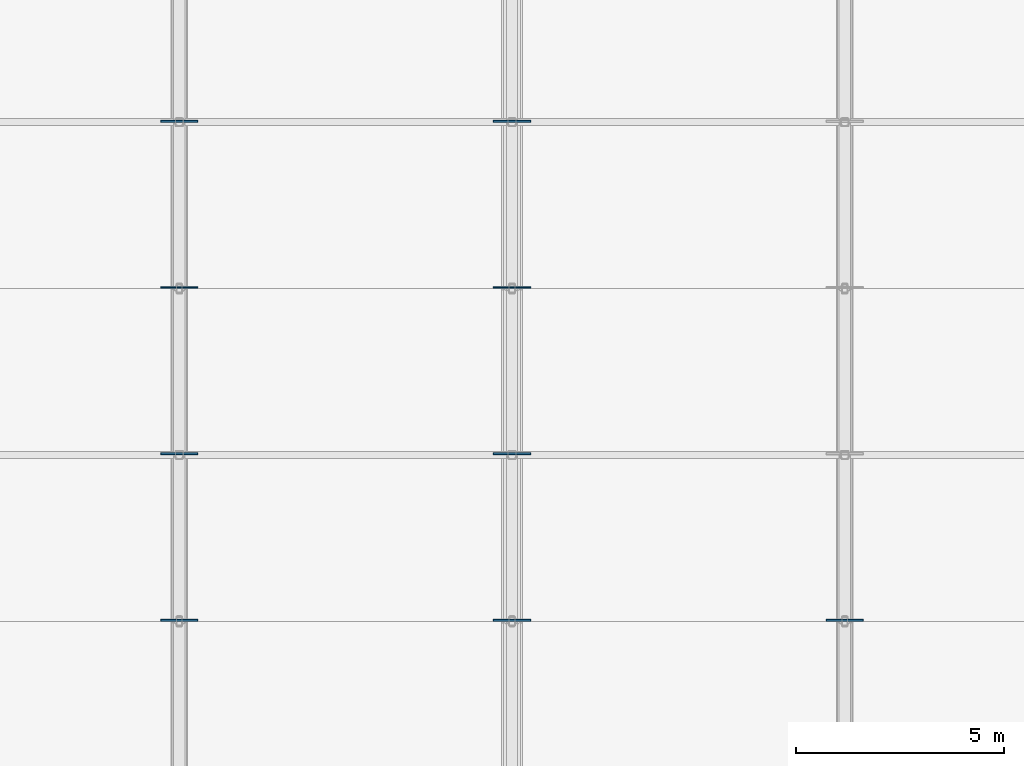
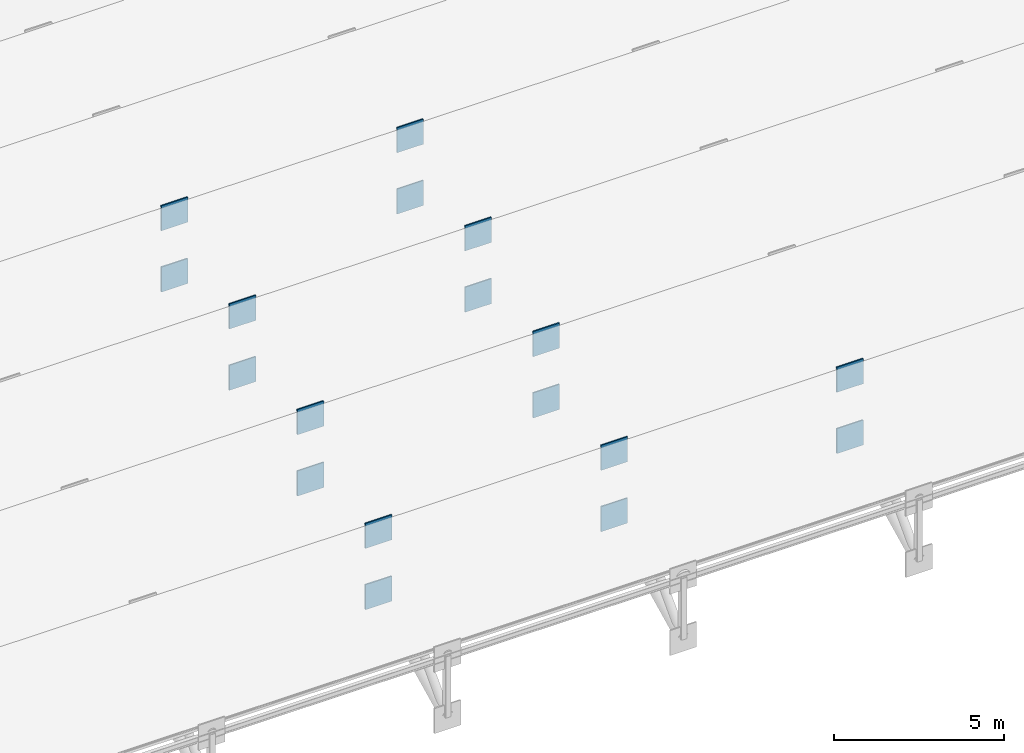
# One storey, part 63 of 98: 18 plates.
"""IFC4 building model written with IfcOpenShell, lengths in metres."""

from ifc_helpers import new_model, si_unit, direction, frame, origin, origin_2d, place, context, subcontext, project, spatial, rectangle, extrude, material, layer, layer_set, type_object, element, save


model = new_model("IFC4")

# Units and contexts
model_context = context("Model", 3, precision=1e-05, world=origin(), true_north=direction((0.0, 1.0)))
body_context = subcontext(model_context, "Body", "Model", "MODEL_VIEW")
ifc_project = project(units=[si_unit("LENGTHUNIT", "METRE"), si_unit("AREAUNIT", "SQUARE_METRE"), si_unit("VOLUMEUNIT", "CUBIC_METRE"), si_unit("PLANEANGLEUNIT", "RADIAN"), si_unit("MASSUNIT", "GRAM", prefix="KILO")], contexts=[model_context])

# Site, building, storey
site_placement = place(None, origin())
site = spatial("IfcSite", under=ifc_project, at=site_placement, CompositionType="ELEMENT")
building_placement = place(site_placement, origin())
building = spatial("IfcBuilding", under=site, at=building_placement, Name="Tlacozan Convention Centre", CompositionType="ELEMENT")
storey_placement = place(building_placement, frame((0.0, 0.0, 25.800048828125)))
storey = spatial("IfcBuildingStorey", under=building, at=storey_placement, Name="Roof", CompositionType="ELEMENT", Elevation=25.800048828125)

# Plates
ifc_material = material(Name="Steel ASTM A572 Grade 50", Category="steel")
ifc_layer = layer(ifc_material, 0.044921875)
ifc_layer_set = layer_set([ifc_layer], Name="Steel ASTM A572 Grade 50")
plate_type = type_object("IfcPlateType", Name="Arch Springing Node Gusset Plate", PredefinedType="SHEET", material=ifc_layer_set)
for number, where, z_axis, x_axis, name in (
    (1, (64.0, 66.023681640625, -9.070556640625), (0.0, 0.0, 1.0), (0.0, 1.0, 0.0), "Roof Gusset Cap Plate 274"),
    (2, (64.0, 66.023681640625, -11.2705078125), (0.0, 0.0, 1.0), (0.0, 1.0, 0.0), "Roof Gusset Cap Plate 276"),
    (3, (64.0, 70.0244140625, -7.416015625), (0.0, 0.0, 1.0), (0.0, 1.0, 0.0), "Roof Gusset Cap Plate 277"),
    (4, (64.0, 70.0244140625, -9.615966796875), (0.0, 0.0, 1.0), (0.0, 1.0, 0.0), "Roof Gusset Cap Plate 278"),
    (5, (64.0, 74.025146484375, -6.049072265625), (0.0, 0.0, 1.0), (0.0, 1.0, 0.0), "Roof Gusset Cap Plate 279"),
    (6, (64.0, 74.025146484375, -8.2490234375), (0.0, 0.0, 1.0), (0.0, 1.0, 0.0), "Roof Gusset Cap Plate 280"),
    (7, (64.0, 78.025634765625, -4.9521484375), (0.0, 0.0, 1.0), (0.0, 1.0, 0.0), "Roof Gusset Cap Plate 281"),
    (8, (64.0, 78.025634765625, -7.152099609375), (0.0, 0.0, 1.0), (0.0, 1.0, 0.0), "Roof Gusset Cap Plate 282"),
    (9, (72.0, 66.023681640625, -9.070556640625), (0.0, 0.0, 1.0), (0.0, 1.0, 0.0), "Roof Gusset Cap Plate 308"),
    (10, (72.0, 66.023681640625, -11.2705078125), (0.0, 0.0, 1.0), (0.0, 1.0, 0.0), "Roof Gusset Cap Plate 310"),
    (11, (72.0, 70.0244140625, -7.416015625), (0.0, 0.0, 1.0), (0.0, 1.0, 0.0), "Roof Gusset Cap Plate 311"),
    (12, (72.0, 70.0244140625, -9.615966796875), (0.0, 0.0, 1.0), (0.0, 1.0, 0.0), "Roof Gusset Cap Plate 312"),
    (13, (72.0, 74.025146484375, -6.049072265625), (0.0, 0.0, 1.0), (0.0, 1.0, 0.0), "Roof Gusset Cap Plate 313"),
    (14, (72.0, 74.025146484375, -8.2490234375), (0.0, 0.0, 1.0), (0.0, 1.0, 0.0), "Roof Gusset Cap Plate 314"),
    (15, (72.0, 78.025634765625, -4.9521484375), (0.0, 0.0, 1.0), (0.0, 1.0, 0.0), "Roof Gusset Cap Plate 315"),
    (16, (72.0, 78.025634765625, -7.152099609375), (0.0, 0.0, 1.0), (0.0, 1.0, 0.0), "Roof Gusset Cap Plate 316"),
    (17, (80.0, 66.023681640625, -9.070556640625), (0.0, 0.0, 1.0), (0.0, 1.0, 0.0), "Roof Gusset Cap Plate 342"),
    (18, (80.0, 66.023681640625, -11.2705078125), (0.0, 0.0, 1.0), (0.0, 1.0, 0.0), "Roof Gusset Cap Plate 344"),
):
    element("IfcPlate", number, at=place(storey_placement, frame(where, z_axis=z_axis, x_axis=x_axis)), inside=storey, type_object=plate_type, Name=name, PredefinedType="SHEET", context=body_context, shape_type="SweptSolid", body=[
        extrude(rectangle(XDim=0.044921875, YDim=0.89990234375, at=origin_2d()), origin(), (0.0, 0.0, 1.0), 0.89990234375),
    ])

save(model, "model.ifc")
